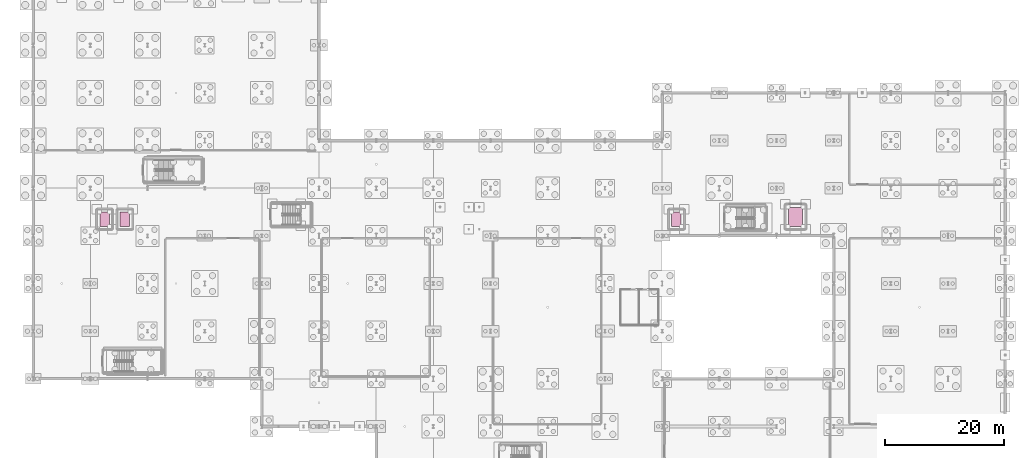
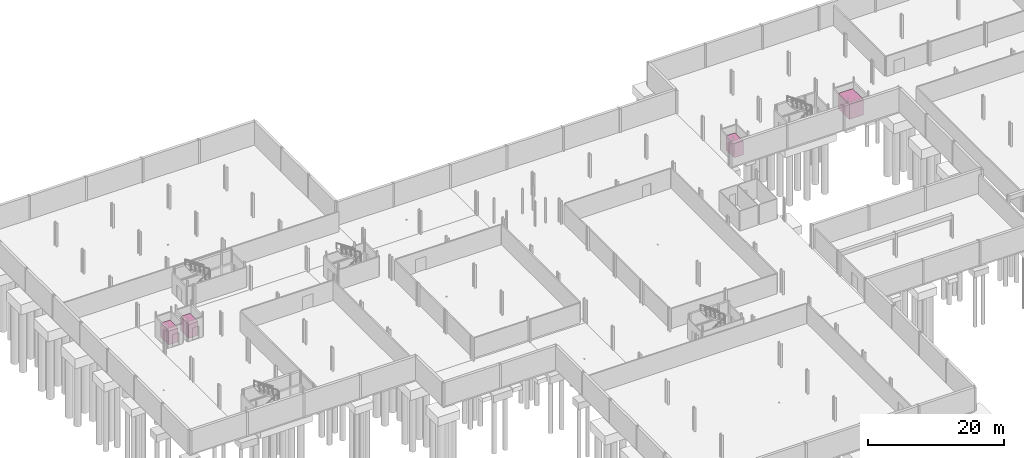
# One storey, part 47 of 47: 4 transport elements.
"""IFC4 building model written with IfcOpenShell, lengths in metres."""

from ifc_helpers import new_model, si_unit, direction, frame, origin, origin_2d, place, context, subcontext, project, spatial, rectangle, extrude, material, type_object, element, save


model = new_model("IFC4")

# Units and contexts
model_context = context("Model", 3, precision=1e-05, world=origin(), true_north=direction((0.0, 1.0)))
body_context = subcontext(model_context, "Body", "Model", "MODEL_VIEW")
ifc_project = project(units=[si_unit("LENGTHUNIT", "METRE"), si_unit("AREAUNIT", "SQUARE_METRE"), si_unit("VOLUMEUNIT", "CUBIC_METRE"), si_unit("PLANEANGLEUNIT", "RADIAN"), si_unit("MASSUNIT", "GRAM", prefix="KILO")], contexts=[model_context])

# Site, building, storey
site_placement = place(None, origin())
site = spatial("IfcSite", under=ifc_project, at=site_placement, CompositionType="ELEMENT")
building_placement = place(site_placement, origin())
building = spatial("IfcBuilding", under=site, at=building_placement, Name="Alderhovde Museum", CompositionType="ELEMENT")
storey_placement = place(building_placement, frame((0.0, 0.0, -4.5)))
storey = spatial("IfcBuildingStorey", under=building, at=storey_placement, Name="B1", CompositionType="ELEMENT", Elevation=-4.5)

# Transport elements
ifc_material_1 = material(Name="Heavy-Duty Brushed Steel Goods Lift Car", Category="steel")
transport_element_type_1 = type_object("IfcTransportElementType", Name="LFT-GOODS-2400x3200", PredefinedType="ELEVATOR", material=ifc_material_1)
transport_element_placement = place(storey_placement, frame((137.60009765625, 75.199951171875, 0.0498046875), z_axis=(0.0, 0.0, 1.0), x_axis=(1.0, 0.0, 0.0)))
element("IfcTransportElement", 1, at=transport_element_placement, inside=storey, type_object=transport_element_type_1, Name="Goods Lift", PredefinedType="ELEVATOR", context=body_context, shape_type="SweptSolid", body=[
    extrude(rectangle(XDim=2.39990234375, YDim=3.199951171875, at=origin_2d()), origin(), (0.0, 0.0, 1.0), 2.800048828125),
])
ifc_material_2 = material(Name="Stainless Steel and Bronze Passenger Lift Car", Category="steel")
transport_element_type_2 = type_object("IfcTransportElementType", Name="LFT-PASS-1600x2400", PredefinedType="ELEVATOR", material=ifc_material_2)
for number, where, z_axis, x_axis, name in (
    (2, (21.60009765625, 74.800048828125, 0.050048828125), (0.0, 0.0, 1.0), (1.0, 0.0, 0.0), "Passenger Lift PL-01"),
    (3, (25.0, 74.800048828125, 0.050048828125), (0.0, 0.0, 1.0), (1.0, 0.0, 0.0), "Passenger Lift PL-02"),
    (4, (117.60009765625, 74.800048828125, 0.050048828125), (0.0, 0.0, 1.0), (1.0, 0.0, 0.0), "Passenger Lift PL-03"),
):
    element("IfcTransportElement", number, at=place(storey_placement, frame(where, z_axis=z_axis, x_axis=x_axis)), inside=storey, type_object=transport_element_type_2, Name=name, PredefinedType="ELEVATOR", context=body_context, shape_type="SweptSolid", body=[
        extrude(rectangle(XDim=1.60009765625, YDim=2.39990234375, at=origin_2d()), origin(), (0.0, 0.0, 1.0), 2.5),
    ])

save(model, "model.ifc")
